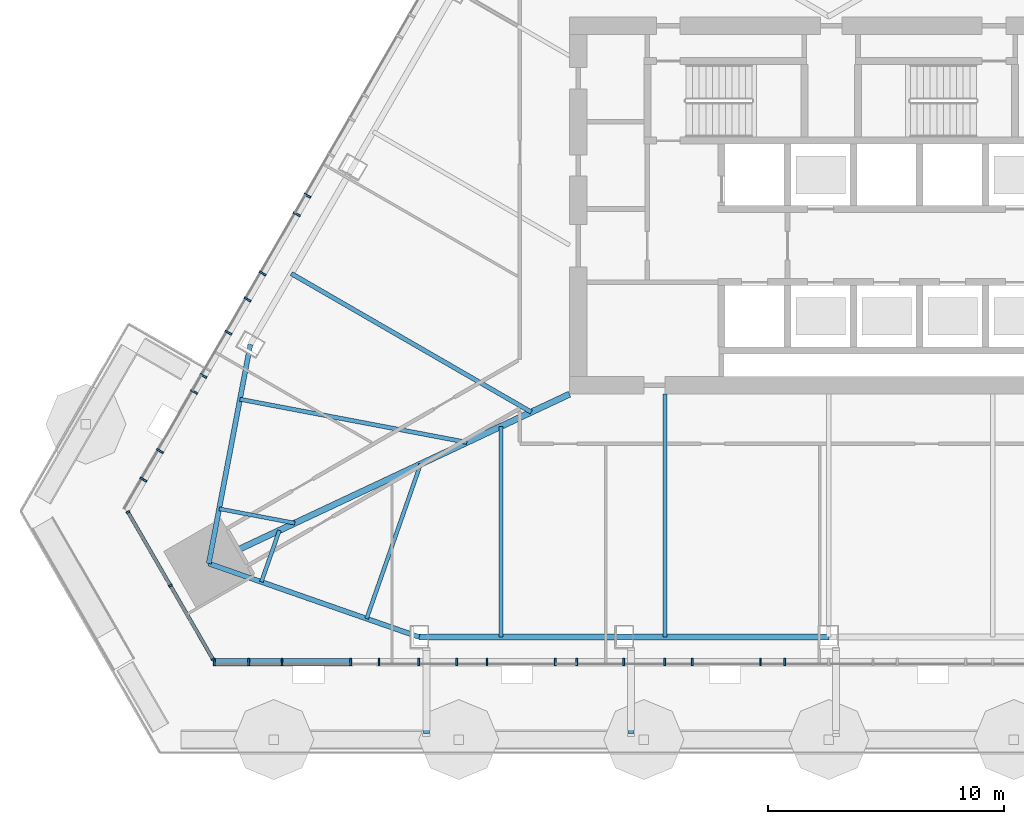
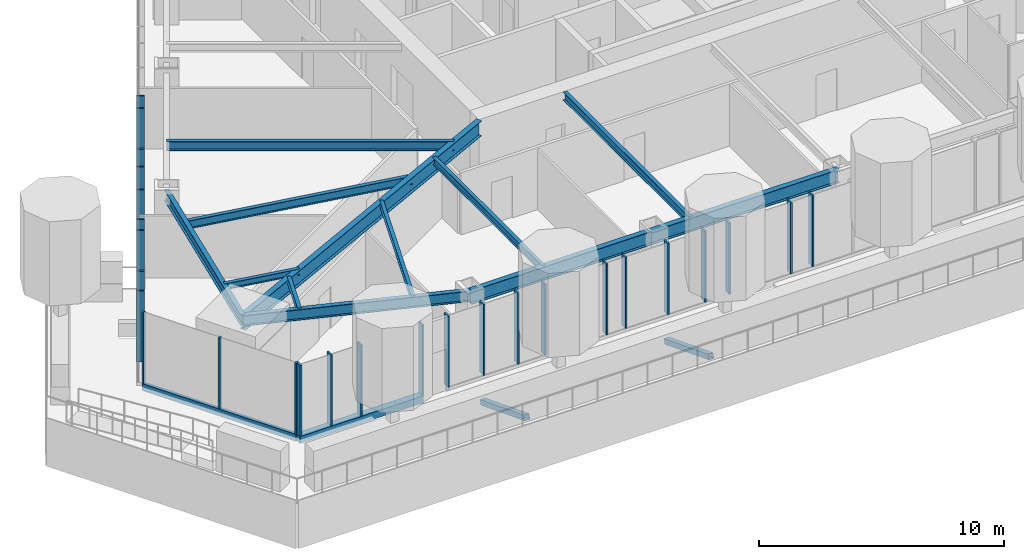
# One storey, part 2 of 24: 31 members, 11 beams, 3 elements without a shape of their own.
"""IFC4 building model written with IfcOpenShell, lengths in metres."""

import ifcopenshell
import ifcopenshell.guid

model = None  # the IFC model being written
_history = None  # IfcOwnerHistory: only IFC2X3 demands one
_inside = {}  # id of a spatial element -> (the spatial element, [elements in it])
_under = {}  # id of a project, library or spatial element -> (it, [spatial elements below it])
_declared = {}  # id of a project -> (the project, [libraries it declares])
_typed = {}  # id of a type object -> (the type object, [elements of that type])
_made_of = {}  # id of a material, layer set ... -> (it, [elements and type objects made of it])


def new_model(schema):
    """Start an empty IFC model of exactly this schema.

    Asked for "IFC4X3", IfcOpenShell would pick the latest addendum, in which some entities
    have other attributes; the version numbers below select the first issue.
    IFC2X3 requires an IfcOwnerHistory on every rooted entity: one is made here for all.
    """
    global model, _history
    if schema == "IFC4X3":
        model = ifcopenshell.file(schema_version=(4, 3, 0, 0))
    else:
        model = ifcopenshell.file(schema=schema)
    _inside.clear()
    _under.clear()
    _declared.clear()
    _typed.clear()
    _made_of.clear()
    _history = None
    if model.schema == "IFC2X3":
        org = make("IfcOrganization", Name="unknown")
        user = make(
            "IfcPersonAndOrganization",
            ThePerson=make("IfcPerson", FamilyName="unknown"),
            TheOrganization=org,
        )
        app = make(
            "IfcApplication",
            ApplicationDeveloper=org,
            Version="unknown",
            ApplicationFullName="unknown",
            ApplicationIdentifier="unknown",
        )
        _history = make(
            "IfcOwnerHistory",
            OwningUser=user,
            OwningApplication=app,
            ChangeAction="ADDED",
            CreationDate=0,
        )
    return model


def make(cls, **values):
    """One entity of the class cls with the attributes given. An attribute that is None is left unset."""
    return model.create_entity(
        cls, **{name: value for name, value in values.items() if value is not None}
    )


def rooted(cls, **values):
    """An entity with a GlobalId (a new one), such as an element, a storey or a relation."""
    return make(cls, GlobalId=ifcopenshell.guid.new(), OwnerHistory=_history, **values)


def si_unit(unit_type, name, prefix=None):
    """IfcSIUnit, for example si_unit("LENGTHUNIT", "METRE", prefix="MILLI")."""
    return make("IfcSIUnit", UnitType=unit_type, Prefix=prefix, Name=name)


def assignment(units):
    """IfcUnitAssignment: the units of a project."""
    return None if units is None else make("IfcUnitAssignment", Units=units)


def point(xyz):
    """IfcCartesianPoint."""
    return None if xyz is None else make("IfcCartesianPoint", Coordinates=xyz)


def direction(xyz):
    """IfcDirection."""
    return None if xyz is None else make("IfcDirection", DirectionRatios=xyz)


def frame(location, z_axis=None, x_axis=None):
    """IfcAxis2Placement3D, a coordinate frame: its origin and axes. An axis left out is left unset."""
    return make(
        "IfcAxis2Placement3D",
        Location=point(location),
        Axis=direction(z_axis),
        RefDirection=direction(x_axis),
    )


def frame_2d(location, x_axis=None):
    """IfcAxis2Placement2D, a coordinate frame in the plane: its origin and x axis."""
    return make(
        "IfcAxis2Placement2D", Location=point(location), RefDirection=direction(x_axis)
    )


def origin():
    """The frame at (0, 0, 0) with its axes left unset."""
    return frame((0.0, 0.0, 0.0))


def origin_2d():
    """The frame at (0, 0) in the plane with its x axis left unset."""
    return frame_2d((0.0, 0.0))


def place(relative_to, where):
    """IfcLocalPlacement: puts the frame where relative to a parent placement (None: the world)."""
    return make(
        "IfcLocalPlacement", PlacementRelTo=relative_to, RelativePlacement=where
    )


def context(
    kind, dimensions, precision=None, world=None, true_north=None, identifier=None
):
    """IfcGeometricRepresentationContext, for example the 3D "Model" context."""
    return make(
        "IfcGeometricRepresentationContext",
        ContextIdentifier=identifier,
        ContextType=kind,
        CoordinateSpaceDimension=dimensions,
        Precision=precision,
        WorldCoordinateSystem=world,
        TrueNorth=true_north,
    )


def subcontext(parent, identifier, kind, view, scale=None):
    """IfcGeometricRepresentationSubContext, for example "Body" below "Model"."""
    return make(
        "IfcGeometricRepresentationSubContext",
        ContextIdentifier=identifier,
        ContextType=kind,
        ParentContext=parent,
        TargetScale=scale,
        TargetView=view,
    )


def project(units=None, contexts=None):
    """IfcProject with its units and contexts."""
    return rooted(
        "IfcProject",
        Name="project",
        RepresentationContexts=contexts,
        UnitsInContext=assignment(units),
    )


def spatial(cls, under=None, at=None, **own):
    """A site, building, storey or space (cls), placed at a placement, below another one or the project."""
    s = rooted(cls, ObjectPlacement=at, **own)
    if under is not None:
        _under.setdefault(under.id(), (under, []))[1].append(s)
    return s


def profile(cls, at=None, kind="AREA", **sizes):
    """A parametric profile (cls). Its sizes go by their IFC names, for example OverallWidth=200.0."""
    return make(cls, ProfileType=kind, Position=at, **sizes)


def rectangle(**sizes):
    """IfcRectangleProfileDef."""
    return profile("IfcRectangleProfileDef", **sizes)


def hollow_rectangle(**sizes):
    """IfcRectangleHollowProfileDef."""
    return profile("IfcRectangleHollowProfileDef", **sizes)


def i_section(**sizes):
    """IfcIShapeProfileDef."""
    return profile("IfcIShapeProfileDef", **sizes)


def extrude(swept, where, along, depth):
    """IfcExtrudedAreaSolid: the profile swept, set in the frame where, extruded along a direction by depth."""
    return make(
        "IfcExtrudedAreaSolid",
        SweptArea=swept,
        Position=where,
        ExtrudedDirection=direction(along),
        Depth=depth,
    )


def shape(context_of_items, identifier, shape_type, items):
    """IfcShapeRepresentation: the items that make up one representation, for example the "Body"."""
    return make(
        "IfcShapeRepresentation",
        ContextOfItems=context_of_items,
        RepresentationIdentifier=identifier,
        RepresentationType=shape_type,
        Items=items,
    )


def material(Name=None, Category=None):
    """IfcMaterial."""
    return make("IfcMaterial", Name=Name, Category=Category)


def layer(
    of_material, thickness, ventilated=None, Name=None, Category=None, Priority=None
):
    """IfcMaterialLayer: one layer of a wall or slab, of a material (None: an air gap)."""
    return make(
        "IfcMaterialLayer",
        Material=of_material,
        LayerThickness=thickness,
        IsVentilated=ventilated,
        Name=Name,
        Category=Category,
        Priority=Priority,
    )


def layer_set(layers, Name=None):
    """IfcMaterialLayerSet."""
    return make("IfcMaterialLayerSet", MaterialLayers=layers, LayerSetName=Name)


def material_profile(
    of_material, cross_section, Name=None, Category=None, Priority=None
):
    """IfcMaterialProfile: a cross section and its material."""
    return make(
        "IfcMaterialProfile",
        Name=Name,
        Material=of_material,
        Profile=cross_section,
        Priority=Priority,
        Category=Category,
    )


def profile_set(profiles, Name=None, composite=None):
    """IfcMaterialProfileSet."""
    return make(
        "IfcMaterialProfileSet",
        Name=Name,
        MaterialProfiles=profiles,
        CompositeProfile=composite,
    )


def made_of(thing, what):
    """Note that an element or type object is made of a material, layer set ...; save() writes the relation."""
    if what is not None:
        _made_of.setdefault(what.id(), (what, []))[1].append(thing)
    return thing


def type_object(cls, material=None, **own):
    """A type object (cls), such as IfcWallType, which elements share."""
    return made_of(rooted(cls, **own), material)


def element(
    cls,
    number,
    at=None,
    inside=None,
    cuts=None,
    type_object=None,
    material=None,
    context=None,
    identifier="Body",
    shape_type=None,
    held_by="IfcProductDefinitionShape",
    body=None,
    shapes=None,
    **own,
):
    """One element of the class cls, such as IfcWall. Its Tag is "e" and its number.

    at: its placement. inside: the storey or other place that contains it. cuts: it is an
    opening in that element (IfcRelVoidsElement). A single representation is given by context,
    identifier, shape_type and body (its items); several are given by shapes. held_by: the class
    of the entity that holds the representations. save() writes the other relations.
    """
    e = rooted(cls, Tag="e%d" % number, ObjectPlacement=at, **own)
    if body is not None:
        shapes = [shape(context, identifier, shape_type, body)]
    if shapes is not None:
        e.Representation = make(held_by, Representations=shapes)
    if inside is not None:
        _inside.setdefault(inside.id(), (inside, []))[1].append(e)
    if cuts is not None:
        rooted(
            "IfcRelVoidsElement", RelatingBuildingElement=cuts, RelatedOpeningElement=e
        )
    if type_object is not None:
        _typed.setdefault(type_object.id(), (type_object, []))[1].append(e)
    return made_of(e, material)


def aggregate(whole, parts):
    """IfcRelAggregates: a whole, such as a stair, and the parts it consists of."""
    return rooted("IfcRelAggregates", RelatingObject=whole, RelatedObjects=parts)


def save(model, path):
    """Write the relations noted so far, then the file.

    IfcRelAggregates (storeys below a building ...), IfcRelContainedInSpatialStructure (elements
    in a storey), IfcRelDefinesByType, IfcRelAssociatesMaterial and IfcRelDeclares: one each for
    every whole, place, type object, material and project.
    """
    for whole, parts in _under.values():
        aggregate(whole, parts)
    for where, things in _inside.values():
        rooted(
            "IfcRelContainedInSpatialStructure",
            RelatedElements=things,
            RelatingStructure=where,
        )
    for kind, things in _typed.values():
        rooted("IfcRelDefinesByType", RelatedObjects=things, RelatingType=kind)
    for what, things in _made_of.values():
        rooted("IfcRelAssociatesMaterial", RelatedObjects=things, RelatingMaterial=what)
    for by, libraries in _declared.values():
        rooted("IfcRelDeclares", RelatingContext=by, RelatedDefinitions=libraries)
    model.write(path)


model = new_model("IFC4")

# Units and contexts
model_context = context("Model", 3, precision=1e-05, world=origin(), true_north=direction((0.0, 1.0)))
body_context = subcontext(model_context, "Body", "Model", "MODEL_VIEW")
ifc_project = project(units=[si_unit("LENGTHUNIT", "METRE"), si_unit("AREAUNIT", "SQUARE_METRE"), si_unit("VOLUMEUNIT", "CUBIC_METRE"), si_unit("PLANEANGLEUNIT", "RADIAN"), si_unit("MASSUNIT", "GRAM", prefix="KILO")], contexts=[model_context])

# Site, building, storey
site_placement = place(None, origin())
site = spatial("IfcSite", under=ifc_project, at=site_placement, CompositionType="ELEMENT")
building_placement = place(site_placement, origin())
building = spatial("IfcBuilding", under=site, at=building_placement, Name="Firuza Gate Tower and Library", CompositionType="ELEMENT")
storey_placement = place(building_placement, frame((0.0, 0.0, 194.800048828125)))
storey = spatial("IfcBuildingStorey", under=building, at=storey_placement, Name="L45", CompositionType="ELEMENT", Elevation=194.800048828125)

# Curtain wall, members
ifc_material_1 = material(Name="Aluminium 6063-T6", Category="aluminium")
ifc_layer_1 = layer(ifc_material_1, 0.14990234375)
ifc_layer_set_1 = layer_set([ifc_layer_1], Name="Corner curtain wall, chamfers")
curtain_wall_type_1 = type_object("IfcCurtainWallType", Name="Corner curtain wall, chamfers", PredefinedType="NOTDEFINED", material=ifc_layer_set_1)
placement = place(storey_placement, origin())
curtain_wall_1 = element("IfcCurtainWall", 1, at=placement, inside=storey, type_object=curtain_wall_type_1, Name="CW4 L45 SW corner", PredefinedType="NOTDEFINED")
ifc_material_2 = material(Name="Aluminium 6063-T6", Category="aluminium")
ifc_material_profile_1 = material_profile(ifc_material_2, rectangle(XDim=0.14990234375, YDim=0.080078125, at=origin_2d()))
ifc_profile_set_1 = profile_set([ifc_material_profile_1], Name="Aluminium 6063-T6")
member_type_1 = type_object("IfcMemberType", Name="Curtain wall mullion 80x150", PredefinedType="MULLION", material=ifc_profile_set_1)
member_1_placement = place(storey_placement, frame((45.276123046875, 61.99951171875, 0.14990234375), z_axis=(0.0, 0.0, 1.0), x_axis=(0.866025403784, 0.5, 0.0)))
member_1 = element("IfcMember", 2, at=member_1_placement, type_object=member_type_1, Name="Mullion", PredefinedType="MULLION", context=body_context, shape_type="SweptSolid", body=[
    extrude(rectangle(XDim=0.14990234375, YDim=0.080078125, at=origin_2d()), origin(), (0.0, 0.0, 1.0), 3.550048828125),
])
member_2_placement = place(storey_placement, frame((47.07763671875, 58.879150390625, 0.14990234375), z_axis=(0.0, 0.0, 1.0), x_axis=(0.866025403784, 0.5, 0.0)))
member_2 = element("IfcMember", 3, at=member_2_placement, type_object=member_type_1, Name="Mullion", PredefinedType="MULLION", context=body_context, shape_type="SweptSolid", body=[
    extrude(rectangle(XDim=0.14990234375, YDim=0.080078125, at=origin_2d()), origin(), (0.0, 0.0, 1.0), 3.550048828125),
])
member_3_placement = place(storey_placement, frame((48.87939453125, 55.758544921875, 0.14990234375), z_axis=(0.0, 0.0, 1.0), x_axis=(0.866025403784, 0.5, 0.0)))
member_3 = element("IfcMember", 4, at=member_3_placement, type_object=member_type_1, Name="Mullion", PredefinedType="MULLION", context=body_context, shape_type="SweptSolid", body=[
    extrude(rectangle(XDim=0.14990234375, YDim=0.080078125, at=origin_2d()), origin(), (0.0, 0.0, 1.0), 3.550048828125),
])

ifc_material_3 = material(Name="Aluminium 6063-T6", Category="aluminium")
ifc_layer_2 = layer(ifc_material_3, 0.14990234375)
ifc_layer_set_2 = layer_set([ifc_layer_2], Name="Unitised curtain wall, hotel")
curtain_wall_type_2 = type_object("IfcCurtainWallType", Name="Unitised curtain wall, hotel", PredefinedType="NOTDEFINED", material=ifc_layer_set_2)
curtain_wall_2 = element("IfcCurtainWall", 5, at=placement, inside=storey, type_object=curtain_wall_type_2, Name="CW2 L45 S face", PredefinedType="NOTDEFINED")
ifc_material_4 = material(Name="Aluminium 6063-T6", Category="aluminium")
ifc_material_profile_2 = material_profile(ifc_material_4, rectangle(XDim=0.320068359375, YDim=0.080078125, at=origin_2d()))
ifc_profile_set_2 = profile_set([ifc_material_profile_2], Name="Aluminium 6063-T6")
member_type_2 = type_object("IfcMemberType", Name="Curtain wall mullion 80x320", PredefinedType="MULLION", material=ifc_profile_set_2)
member_4_placement = place(storey_placement, frame((48.939453125, 55.638916015625, 0.14990234375), z_axis=(0.0, 0.0, 1.0), x_axis=(0.0, 1.0, 0.0)))
member_4 = element("IfcMember", 6, at=member_4_placement, type_object=member_type_2, Name="Mullion", PredefinedType="MULLION", context=body_context, shape_type="SweptSolid", body=[
    extrude(rectangle(XDim=0.320068359375, YDim=0.080078125, at=origin_2d()), origin(), (0.0, 0.0, 1.0), 3.550048828125),
])
member_5_placement = place(storey_placement, frame((51.809326171875, 55.638916015625, 0.14990234375), z_axis=(0.0, 0.0, 1.0), x_axis=(0.0, 1.0, 0.0)))
member_5 = element("IfcMember", 7, at=member_5_placement, type_object=member_type_2, Name="Mullion", PredefinedType="MULLION", context=body_context, shape_type="SweptSolid", body=[
    extrude(rectangle(XDim=0.320068359375, YDim=0.080078125, at=origin_2d()), origin(), (0.0, 0.0, 1.0), 3.550048828125),
])
member_6_placement = place(storey_placement, frame((54.71923828125, 55.638916015625, 0.14990234375), z_axis=(0.0, 0.0, 1.0), x_axis=(0.0, 1.0, 0.0)))
member_6 = element("IfcMember", 8, at=member_6_placement, type_object=member_type_2, Name="Mullion", PredefinedType="MULLION", context=body_context, shape_type="SweptSolid", body=[
    extrude(rectangle(XDim=0.320068359375, YDim=0.080078125, at=origin_2d()), origin(), (0.0, 0.0, 1.0), 3.550048828125),
])
member_7_placement = place(storey_placement, frame((55.91943359375, 55.638916015625, 0.14990234375), z_axis=(0.0, 0.0, 1.0), x_axis=(0.0, 1.0, 0.0)))
member_7 = element("IfcMember", 9, at=member_7_placement, type_object=member_type_2, Name="Mullion", PredefinedType="MULLION", context=body_context, shape_type="SweptSolid", body=[
    extrude(rectangle(XDim=0.320068359375, YDim=0.080078125, at=origin_2d()), origin(), (0.0, 0.0, 1.0), 3.550048828125),
])
member_8_placement = place(storey_placement, frame((57.599609375, 55.638916015625, 0.14990234375), z_axis=(0.0, 0.0, 1.0), x_axis=(0.0, 1.0, 0.0)))
member_8 = element("IfcMember", 10, at=member_8_placement, type_object=member_type_2, Name="Mullion", PredefinedType="MULLION", context=body_context, shape_type="SweptSolid", body=[
    extrude(rectangle(XDim=0.320068359375, YDim=0.080078125, at=origin_2d()), origin(), (0.0, 0.0, 1.0), 3.550048828125),
])
member_9_placement = place(storey_placement, frame((60.499755859375, 55.638916015625, 0.14990234375), z_axis=(0.0, 0.0, 1.0), x_axis=(0.0, 1.0, 0.0)))
member_9 = element("IfcMember", 11, at=member_9_placement, type_object=member_type_2, Name="Mullion", PredefinedType="MULLION", context=body_context, shape_type="SweptSolid", body=[
    extrude(rectangle(XDim=0.320068359375, YDim=0.080078125, at=origin_2d()), origin(), (0.0, 0.0, 1.0), 3.550048828125),
])
member_10_placement = place(storey_placement, frame((63.399658203125, 55.638916015625, 0.14990234375), z_axis=(0.0, 0.0, 1.0), x_axis=(0.0, 1.0, 0.0)))
member_10 = element("IfcMember", 12, at=member_10_placement, type_object=member_type_2, Name="Mullion", PredefinedType="MULLION", context=body_context, shape_type="SweptSolid", body=[
    extrude(rectangle(XDim=0.320068359375, YDim=0.080078125, at=origin_2d()), origin(), (0.0, 0.0, 1.0), 3.550048828125),
])
member_11_placement = place(storey_placement, frame((66.2998046875, 55.638916015625, 0.14990234375), z_axis=(0.0, 0.0, 1.0), x_axis=(0.0, 1.0, 0.0)))
member_11 = element("IfcMember", 13, at=member_11_placement, type_object=member_type_2, Name="Mullion", PredefinedType="MULLION", context=body_context, shape_type="SweptSolid", body=[
    extrude(rectangle(XDim=0.320068359375, YDim=0.080078125, at=origin_2d()), origin(), (0.0, 0.0, 1.0), 3.550048828125),
])
member_12_placement = place(storey_placement, frame((69.199951171875, 55.638916015625, 0.14990234375), z_axis=(0.0, 0.0, 1.0), x_axis=(0.0, 1.0, 0.0)))
member_12 = element("IfcMember", 14, at=member_12_placement, type_object=member_type_2, Name="Mullion", PredefinedType="MULLION", context=body_context, shape_type="SweptSolid", body=[
    extrude(rectangle(XDim=0.320068359375, YDim=0.080078125, at=origin_2d()), origin(), (0.0, 0.0, 1.0), 3.550048828125),
])
member_13_placement = place(storey_placement, frame((72.099853515625, 55.638916015625, 0.14990234375), z_axis=(0.0, 0.0, 1.0), x_axis=(0.0, 1.0, 0.0)))
member_13 = element("IfcMember", 15, at=member_13_placement, type_object=member_type_2, Name="Mullion", PredefinedType="MULLION", context=body_context, shape_type="SweptSolid", body=[
    extrude(rectangle(XDim=0.320068359375, YDim=0.080078125, at=origin_2d()), origin(), (0.0, 0.0, 1.0), 3.550048828125),
])
member_14_placement = place(storey_placement, frame((50.400390625, 55.638916015625, 0.14990234375), z_axis=(0.0, 0.0, 1.0), x_axis=(0.0, 1.0, 0.0)))
member_14 = element("IfcMember", 16, at=member_14_placement, type_object=member_type_2, Name="Mullion", PredefinedType="MULLION", context=body_context, shape_type="SweptSolid", body=[
    extrude(rectangle(XDim=0.320068359375, YDim=0.080078125, at=origin_2d()), origin(), (0.0, 0.0, 1.0), 3.550048828125),
])
member_15_placement = place(storey_placement, frame((59.224365234375, 55.638916015625, 0.14990234375), z_axis=(0.0, 0.0, 1.0), x_axis=(0.0, 1.0, 0.0)))
member_15 = element("IfcMember", 17, at=member_15_placement, type_object=member_type_2, Name="Mullion", PredefinedType="MULLION", context=body_context, shape_type="SweptSolid", body=[
    extrude(rectangle(XDim=0.320068359375, YDim=0.080078125, at=origin_2d()), origin(), (0.0, 0.0, 1.0), 3.550048828125),
])
member_16_placement = place(storey_placement, frame((64.30419921875, 55.638916015625, 0.14990234375), z_axis=(0.0, 0.0, 1.0), x_axis=(0.0, 1.0, 0.0)))
member_16 = element("IfcMember", 18, at=member_16_placement, type_object=member_type_2, Name="Mullion", PredefinedType="MULLION", context=body_context, shape_type="SweptSolid", body=[
    extrude(rectangle(XDim=0.320068359375, YDim=0.080078125, at=origin_2d()), origin(), (0.0, 0.0, 1.0), 3.550048828125),
])
member_17_placement = place(storey_placement, frame((68.048095703125, 55.638916015625, 0.14990234375), z_axis=(0.0, 0.0, 1.0), x_axis=(0.0, 1.0, 0.0)))
member_17 = element("IfcMember", 19, at=member_17_placement, type_object=member_type_2, Name="Mullion", PredefinedType="MULLION", context=body_context, shape_type="SweptSolid", body=[
    extrude(rectangle(XDim=0.320068359375, YDim=0.080078125, at=origin_2d()), origin(), (0.0, 0.0, 1.0), 3.550048828125),
])
member_18_placement = place(storey_placement, frame((73.1279296875, 55.638916015625, 0.14990234375), z_axis=(0.0, 0.0, 1.0), x_axis=(0.0, 1.0, 0.0)))
member_18 = element("IfcMember", 20, at=member_18_placement, type_object=member_type_2, Name="Mullion", PredefinedType="MULLION", context=body_context, shape_type="SweptSolid", body=[
    extrude(rectangle(XDim=0.320068359375, YDim=0.080078125, at=origin_2d()), origin(), (0.0, 0.0, 1.0), 3.550048828125),
])

curtain_wall_3 = element("IfcCurtainWall", 21, at=placement, inside=storey, type_object=curtain_wall_type_2, Name="CW2 L45 W face", PredefinedType="NOTDEFINED")
member_19_placement = place(storey_placement, frame((52.4326171875, 74.634521484375, 0.14990234375), z_axis=(0.0, 0.0, 1.0), x_axis=(0.866025403784, -0.5, 0.0)))
member_19 = element("IfcMember", 22, at=member_19_placement, type_object=member_type_2, Name="Mullion", PredefinedType="MULLION", context=body_context, shape_type="SweptSolid", body=[
    extrude(rectangle(XDim=0.320068359375, YDim=0.080078125, at=origin_2d()), origin(), (0.0, 0.0, 1.0), 3.550048828125),
])
member_20_placement = place(storey_placement, frame((50.982666015625, 72.122802734375, 0.14990234375), z_axis=(0.0, 0.0, 1.0), x_axis=(0.866025403784, -0.5, 0.0)))
member_20 = element("IfcMember", 23, at=member_20_placement, type_object=member_type_2, Name="Mullion", PredefinedType="MULLION", context=body_context, shape_type="SweptSolid", body=[
    extrude(rectangle(XDim=0.320068359375, YDim=0.080078125, at=origin_2d()), origin(), (0.0, 0.0, 1.0), 3.550048828125),
])
member_21_placement = place(storey_placement, frame((49.532470703125, 69.611328125, 0.14990234375), z_axis=(0.0, 0.0, 1.0), x_axis=(0.866025403784, -0.5, 0.0)))
member_21 = element("IfcMember", 24, at=member_21_placement, type_object=member_type_2, Name="Mullion", PredefinedType="MULLION", context=body_context, shape_type="SweptSolid", body=[
    extrude(rectangle(XDim=0.320068359375, YDim=0.080078125, at=origin_2d()), origin(), (0.0, 0.0, 1.0), 3.550048828125),
])
member_22_placement = place(storey_placement, frame((48.08251953125, 67.099853515625, 0.14990234375), z_axis=(0.0, 0.0, 1.0), x_axis=(0.866025403784, -0.5, 0.0)))
member_22 = element("IfcMember", 25, at=member_22_placement, type_object=member_type_2, Name="Mullion", PredefinedType="MULLION", context=body_context, shape_type="SweptSolid", body=[
    extrude(rectangle(XDim=0.320068359375, YDim=0.080078125, at=origin_2d()), origin(), (0.0, 0.0, 1.0), 3.550048828125),
])
member_23_placement = place(storey_placement, frame((46.632568359375, 64.58837890625, 0.14990234375), z_axis=(0.0, 0.0, 1.0), x_axis=(0.866025403784, -0.5, 0.0)))
member_23 = element("IfcMember", 26, at=member_23_placement, type_object=member_type_2, Name="Mullion", PredefinedType="MULLION", context=body_context, shape_type="SweptSolid", body=[
    extrude(rectangle(XDim=0.320068359375, YDim=0.080078125, at=origin_2d()), origin(), (0.0, 0.0, 1.0), 3.550048828125),
])
member_24_placement = place(storey_placement, frame((52.884765625, 75.417724609375, 0.14990234375), z_axis=(0.0, 0.0, 1.0), x_axis=(0.866025403784, -0.5, 0.0)))
member_24 = element("IfcMember", 27, at=member_24_placement, type_object=member_type_2, Name="Mullion", PredefinedType="MULLION", context=body_context, shape_type="SweptSolid", body=[
    extrude(rectangle(XDim=0.320068359375, YDim=0.080078125, at=origin_2d()), origin(), (0.0, 0.0, 1.0), 3.550048828125),
])
member_25_placement = place(storey_placement, frame((50.344970703125, 71.018310546875, 0.14990234375), z_axis=(0.0, 0.0, 1.0), x_axis=(0.866025403784, -0.5, 0.0)))
member_25 = element("IfcMember", 28, at=member_25_placement, type_object=member_type_2, Name="Mullion", PredefinedType="MULLION", context=body_context, shape_type="SweptSolid", body=[
    extrude(rectangle(XDim=0.320068359375, YDim=0.080078125, at=origin_2d()), origin(), (0.0, 0.0, 1.0), 3.550048828125),
])
member_26_placement = place(storey_placement, frame((48.472900390625, 67.776123046875, 0.14990234375), z_axis=(0.0, 0.0, 1.0), x_axis=(0.866025403784, -0.5, 0.0)))
member_26 = element("IfcMember", 29, at=member_26_placement, type_object=member_type_2, Name="Mullion", PredefinedType="MULLION", context=body_context, shape_type="SweptSolid", body=[
    extrude(rectangle(XDim=0.320068359375, YDim=0.080078125, at=origin_2d()), origin(), (0.0, 0.0, 1.0), 3.550048828125),
])
member_27_placement = place(storey_placement, frame((45.932861328125, 63.376708984375, 0.14990234375), z_axis=(0.0, 0.0, 1.0), x_axis=(0.866025403784, -0.5, 0.0)))
member_27 = element("IfcMember", 30, at=member_27_placement, type_object=member_type_2, Name="Mullion", PredefinedType="MULLION", context=body_context, shape_type="SweptSolid", body=[
    extrude(rectangle(XDim=0.320068359375, YDim=0.080078125, at=origin_2d()), origin(), (0.0, 0.0, 1.0), 3.550048828125),
])
aggregate(curtain_wall_3, [member_19, member_20, member_21, member_22, member_23, member_24, member_25, member_26, member_27])

# Member
ifc_material_5 = material(Name="Aluminium 6063-T6", Category="aluminium")
ifc_material_profile_3 = material_profile(ifc_material_5, rectangle(XDim=0.14990234375, YDim=0.35009765625, at=origin_2d()))
ifc_profile_set_3 = profile_set([ifc_material_profile_3], Name="Aluminium 6063-T6")
member_type_3 = type_object("IfcMemberType", Name="Curtain wall transom 350x150", PredefinedType="USERDEFINED", material=ifc_profile_set_3)
member_28_placement = place(storey_placement, frame((45.256103515625, 62.0341796875, -0.025146484375), z_axis=(0.500005719219, -0.866022101766, 0.0), x_axis=(0.866022101766, 0.500005719219, 0.0)))
member_28 = element("IfcMember", 31, at=member_28_placement, type_object=member_type_3, Name="Transom", ObjectType="TRANSOM", PredefinedType="USERDEFINED", context=body_context, shape_type="SweptSolid", body=[
    extrude(rectangle(XDim=0.14990234375, YDim=0.35009765625, at=origin_2d()), origin(), (0.0, 0.0, 1.0), 7.28662109375),
])

aggregate(curtain_wall_1, [member_1, member_2, member_3, member_28])

ifc_material_6 = material(Name="Aluminium 6063-T6", Category="aluminium")
ifc_material_profile_4 = material_profile(ifc_material_6, rectangle(XDim=0.320068359375, YDim=0.35009765625, at=origin_2d()))
ifc_profile_set_4 = profile_set([ifc_material_profile_4], Name="Aluminium 6063-T6")
member_type_4 = type_object("IfcMemberType", Name="Curtain wall transom 350x320", PredefinedType="USERDEFINED", material=ifc_profile_set_4)
member_29_placement = place(storey_placement, frame((48.8994140625, 55.638916015625, -0.025146484375), z_axis=(1.0, 0.0, 0.0), x_axis=(0.0, 1.0, 0.0)))
member_29 = element("IfcMember", 32, at=member_29_placement, type_object=member_type_4, Name="Transom", ObjectType="TRANSOM", PredefinedType="USERDEFINED", context=body_context, shape_type="SweptSolid", body=[
    extrude(rectangle(XDim=0.320068359375, YDim=0.35009765625, at=origin_2d()), origin(), (0.0, 0.0, 1.0), 5.81982421875),
])

aggregate(curtain_wall_2, [member_4, member_5, member_6, member_7, member_8, member_9, member_10, member_11, member_12, member_13, member_29, member_14, member_15, member_16, member_17, member_18])

# Members
ifc_material_7 = material(Name="Steel S355", Category="steel")
ifc_material_profile_5 = material_profile(ifc_material_7, hollow_rectangle(XDim=0.25390625, YDim=0.25390625, WallThickness=0.01171875, at=origin_2d()))
ifc_profile_set_5 = profile_set([ifc_material_profile_5], Name="Steel S355")
member_type_5 = type_object("IfcMemberType", Name="HSS254x254x13 Tray strut", PredefinedType="BRACE", material=ifc_profile_set_5)
for number, where, z_axis, x_axis, name in (
    (33, (57.928466796875, 56.163818359375, -1.670166015625), (0.0, -0.931986877569, 0.362492013758), (1.0, 0.0, 0.0), "Tray strut L45 col:L44:S1"),
    (34, (66.6142578125, 56.163818359375, -1.670166015625), (0.0, -0.931986877569, 0.362492013758), (1.0, 0.0, 0.0), "Tray strut L45 col:L44:S2"),
):
    element("IfcMember", number, at=place(storey_placement, frame(where, z_axis=z_axis, x_axis=x_axis)), inside=storey, type_object=member_type_5, Name=name, PredefinedType="BRACE", context=body_context, shape_type="SweptSolid", body=[
        extrude(hollow_rectangle(XDim=0.25390625, YDim=0.25390625, WallThickness=0.01171875, at=origin_2d()), origin(), (0.0, 0.0, 1.0), 3.862548828125),
    ])

# Beams
ifc_material_8 = material(Name="Steel S355", Category="steel")
ifc_material_profile_6 = material_profile(ifc_material_8, i_section(OverallWidth=0.1650390625, OverallDepth=0.31005859375, WebThickness=0.005859375, FlangeThickness=0.009765625, at=origin_2d()))
ifc_profile_set_6 = profile_set([ifc_material_profile_6], Name="Steel S355")
beam_type_1 = type_object("IfcBeamType", Name="W310x39 Floor beam", PredefinedType="JOIST", material=ifc_profile_set_6)
beam_1_placement = place(storey_placement, frame((49.142333984375, 62.138916015625, 3.544921875), z_axis=(0.98246268216, -0.186459320395, 0.0), x_axis=(0.186459320395, 0.98246268216, 0.0)))
element("IfcBeam", 35, at=beam_1_placement, inside=storey, type_object=beam_type_1, Name="Floor beam L45 s01", PredefinedType="JOIST", context=body_context, shape_type="SweptSolid", body=[
    extrude(i_section(OverallWidth=0.1650390625, OverallDepth=0.31005859375, WebThickness=0.005859375, FlangeThickness=0.009765625, at=origin_2d()), origin(), (0.0, 0.0, 1.0), 3.265625),
])
beam_2_placement = place(storey_placement, frame((50.93310546875, 59.037109375, 3.544921875), z_axis=(0.329735047073, 0.944073513415, 0.0), x_axis=(-0.944073513415, 0.329735047073, 0.0)))
element("IfcBeam", 36, at=beam_2_placement, inside=storey, type_object=beam_type_1, Name="Floor beam L45 s10", PredefinedType="JOIST", context=body_context, shape_type="SweptSolid", body=[
    extrude(i_section(OverallWidth=0.1650390625, OverallDepth=0.31005859375, WebThickness=0.005859375, FlangeThickness=0.009765625, at=origin_2d()), origin(), (0.0, 0.0, 1.0), 2.315185546875),
])
beam_3_placement = place(storey_placement, frame((55.396728515625, 57.478271484375, 3.544921875), z_axis=(0.329703718894, 0.944084454775, 0.0), x_axis=(-0.944084454775, 0.329703718894, 0.0)))
element("IfcBeam", 37, at=beam_3_placement, inside=storey, type_object=beam_type_1, Name="Floor beam L45 s11", PredefinedType="JOIST", context=body_context, shape_type="SweptSolid", body=[
    extrude(i_section(OverallWidth=0.1650390625, OverallDepth=0.31005859375, WebThickness=0.005859375, FlangeThickness=0.009765625, at=origin_2d()), origin(), (0.0, 0.0, 1.0), 6.94580078125),
])
ifc_material_9 = material(Name="Steel S355", Category="steel")
ifc_material_profile_7 = material_profile(ifc_material_9, i_section(OverallWidth=0.1708984375, OverallDepth=0.35498046875, WebThickness=0.007080078125, FlangeThickness=0.01171875, at=origin_2d()))
ifc_profile_set_7 = profile_set([ifc_material_profile_7], Name="Steel S355")
beam_type_2 = type_object("IfcBeamType", Name="W360x51 Floor beam", PredefinedType="JOIST", material=ifc_profile_set_7)
beam_4_placement = place(storey_placement, frame((61.102783203125, 56.698974609375, 3.5224609375), z_axis=(0.0, 1.0, 0.0), x_axis=(-1.0, 0.0, 0.0)))
element("IfcBeam", 38, at=beam_4_placement, inside=storey, type_object=beam_type_2, Name="Floor beam L45 s20", PredefinedType="JOIST", context=body_context, shape_type="SweptSolid", body=[
    extrude(i_section(OverallWidth=0.1708984375, OverallDepth=0.35498046875, WebThickness=0.007080078125, FlangeThickness=0.01171875, at=origin_2d()), origin(), (0.0, 0.0, 1.0), 8.940673828125),
])
ifc_material_10 = material(Name="Steel S355", Category="steel")
ifc_material_profile_8 = material_profile(ifc_material_10, i_section(OverallWidth=0.177978515625, OverallDepth=0.406982421875, WebThickness=0.0078125, FlangeThickness=0.0126953125, at=origin_2d()))
ifc_profile_set_8 = profile_set([ifc_material_profile_8], Name="Steel S355")
beam_type_3 = type_object("IfcBeamType", Name="W410x60 Floor beam", PredefinedType="JOIST", material=ifc_profile_set_8)
beam_5_placement = place(storey_placement, frame((50.024169921875, 66.783935546875, 3.496337890625), z_axis=(0.982452683622, -0.18651199544, 0.0), x_axis=(0.18651199544, 0.982452683622, 0.0)))
element("IfcBeam", 39, at=beam_5_placement, inside=storey, type_object=beam_type_3, Name="Floor beam L45 s00", PredefinedType="JOIST", context=body_context, shape_type="SweptSolid", body=[
    extrude(i_section(OverallWidth=0.177978515625, OverallDepth=0.406982421875, WebThickness=0.0078125, FlangeThickness=0.0126953125, at=origin_2d()), origin(), (0.0, 0.0, 1.0), 9.79638671875),
])
beam_6_placement = place(storey_placement, frame((68.05126953125, 56.698974609375, 3.496337890625), z_axis=(0.0, 1.0, 0.0), x_axis=(-1.0, 0.0, 0.0)))
element("IfcBeam", 40, at=beam_6_placement, inside=storey, type_object=beam_type_3, Name="Floor beam L45 s21", PredefinedType="JOIST", context=body_context, shape_type="SweptSolid", body=[
    extrude(i_section(OverallWidth=0.177978515625, OverallDepth=0.406982421875, WebThickness=0.0078125, FlangeThickness=0.0126953125, at=origin_2d()), origin(), (0.0, 0.0, 1.0), 10.301025390625),
])
ifc_material_11 = material(Name="Steel S355", Category="steel")
ifc_material_profile_9 = material_profile(ifc_material_11, i_section(OverallWidth=0.18994140625, OverallDepth=0.45703125, WebThickness=0.009033203125, FlangeThickness=0.014404296875, at=origin_2d()))
ifc_profile_set_9 = profile_set([ifc_material_profile_9], Name="Steel S355")
beam_type_4 = type_object("IfcBeamType", Name="W460x74 Floor beam", PredefinedType="JOIST", material=ifc_profile_set_9)
beam_7_placement = place(storey_placement, frame((52.2021484375, 72.115234375, 3.471435546875), z_axis=(0.866025409827, -0.499999989534, 0.0), x_axis=(0.499999989534, 0.866025409827, 0.0)))
element("IfcBeam", 41, at=beam_7_placement, inside=storey, type_object=beam_type_4, Name="Floor beam L45 s84", PredefinedType="JOIST", context=body_context, shape_type="SweptSolid", body=[
    extrude(i_section(OverallWidth=0.18994140625, OverallDepth=0.45703125, WebThickness=0.009033203125, FlangeThickness=0.014404296875, at=origin_2d()), origin(), (0.0, 0.0, 1.0), 11.751953125),
])
ifc_material_12 = material(Name="Steel S355", Category="steel")
ifc_material_profile_10 = material_profile(ifc_material_12, i_section(OverallWidth=0.212890625, OverallDepth=0.5390625, WebThickness=0.01171875, FlangeThickness=0.018798828125, at=origin_2d()))
ifc_profile_set_10 = profile_set([ifc_material_profile_10], Name="Steel S355")
beam_type_5 = type_object("IfcBeamType", Name="W530x109 Edge beam", PredefinedType="SPANDREL", material=ifc_profile_set_10)
beam_8_placement = place(storey_placement, frame((50.46484375, 69.1064453125, 3.430419921875), z_axis=(-0.186493929344, -0.982456113176, 0.0), x_axis=(0.982456113176, -0.186493929344, 0.0)))
element("IfcBeam", 42, at=beam_8_placement, inside=storey, type_object=beam_type_5, Name="Edge beam L45 e00", PredefinedType="SPANDREL", context=body_context, shape_type="SweptSolid", body=[
    extrude(i_section(OverallWidth=0.212890625, OverallDepth=0.5390625, WebThickness=0.01171875, FlangeThickness=0.018798828125, at=origin_2d()), origin(), (0.0, 0.0, 1.0), 9.45556640625),
])
beam_9_placement = place(storey_placement, frame((48.701416015625, 59.816650390625, 3.430419921875), z_axis=(0.94408154334, -0.329712055475, 0.0), x_axis=(0.329712055475, 0.94408154334, 0.0)))
element("IfcBeam", 43, at=beam_9_placement, inside=storey, type_object=beam_type_5, Name="Edge beam L45 e10", PredefinedType="SPANDREL", context=body_context, shape_type="SweptSolid", body=[
    extrude(i_section(OverallWidth=0.212890625, OverallDepth=0.5390625, WebThickness=0.01171875, FlangeThickness=0.018798828125, at=origin_2d()), origin(), (0.0, 0.0, 1.0), 9.455810546875),
])
ifc_material_13 = material(Name="Steel S355", Category="steel")
ifc_material_profile_11 = material_profile(ifc_material_13, i_section(OverallWidth=0.2529296875, OverallDepth=0.677978515625, WebThickness=0.01171875, FlangeThickness=0.016357421875, at=origin_2d()))
ifc_profile_set_11 = profile_set([ifc_material_profile_11], Name="Steel S355")
beam_type_6 = type_object("IfcBeamType", Name="W690x125 Edge beam", PredefinedType="SPANDREL", material=ifc_profile_set_11)
beam_10_placement = place(storey_placement, frame((57.62841796875, 56.698974609375, 3.36083984375), z_axis=(1.0, 0.0, 0.0), x_axis=(0.0, 1.0, 0.0)))
element("IfcBeam", 44, at=beam_10_placement, inside=storey, type_object=beam_type_6, Name="Edge beam L45 e20", PredefinedType="SPANDREL", context=body_context, shape_type="SweptSolid", body=[
    extrude(i_section(OverallWidth=0.2529296875, OverallDepth=0.677978515625, WebThickness=0.01171875, FlangeThickness=0.016357421875, at=origin_2d()), origin(), (0.0, 0.0, 1.0), 17.37158203125),
])
ifc_material_14 = material(Name="Steel S355", Category="steel")
ifc_material_profile_12 = material_profile(ifc_material_14, i_section(OverallWidth=0.264892578125, OverallDepth=0.7529296875, WebThickness=0.01318359375, FlangeThickness=0.01708984375, at=origin_2d()))
ifc_profile_set_12 = profile_set([ifc_material_profile_12], Name="Steel S355")
beam_type_7 = type_object("IfcBeamType", Name="W760x147 Girder", PredefinedType="BEAM", material=ifc_profile_set_12)
beam_11_placement = place(storey_placement, frame((48.701416015625, 59.816650390625, 3.323486328125), z_axis=(0.905182734973, 0.425022606819, 0.0), x_axis=(-0.425022606819, 0.905182734973, 0.0)))
element("IfcBeam", 45, at=beam_11_placement, inside=storey, type_object=beam_type_7, Name="Girder L45 gSW", PredefinedType="BEAM", context=body_context, shape_type="SweptSolid", body=[
    extrude(i_section(OverallWidth=0.264892578125, OverallDepth=0.7529296875, WebThickness=0.01318359375, FlangeThickness=0.01708984375, at=origin_2d()), origin(), (0.0, 0.0, 1.0), 16.901123046875),
])

save(model, "model.ifc")
